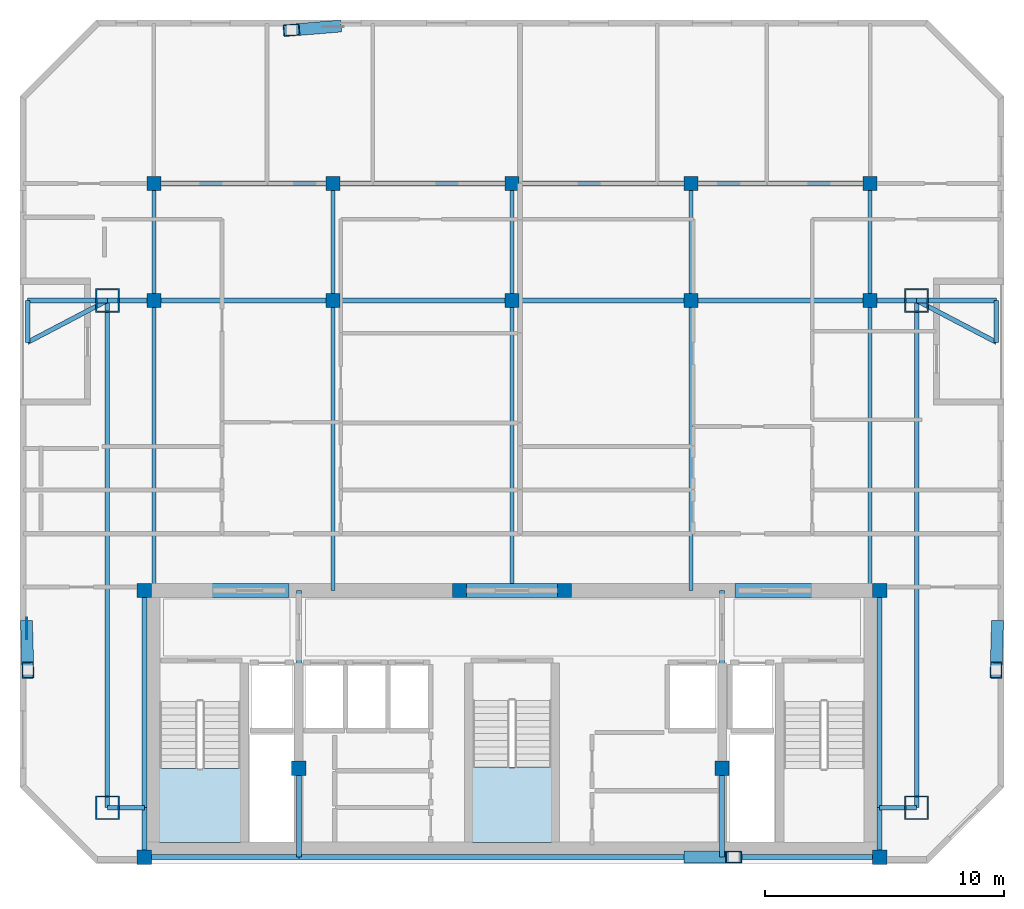
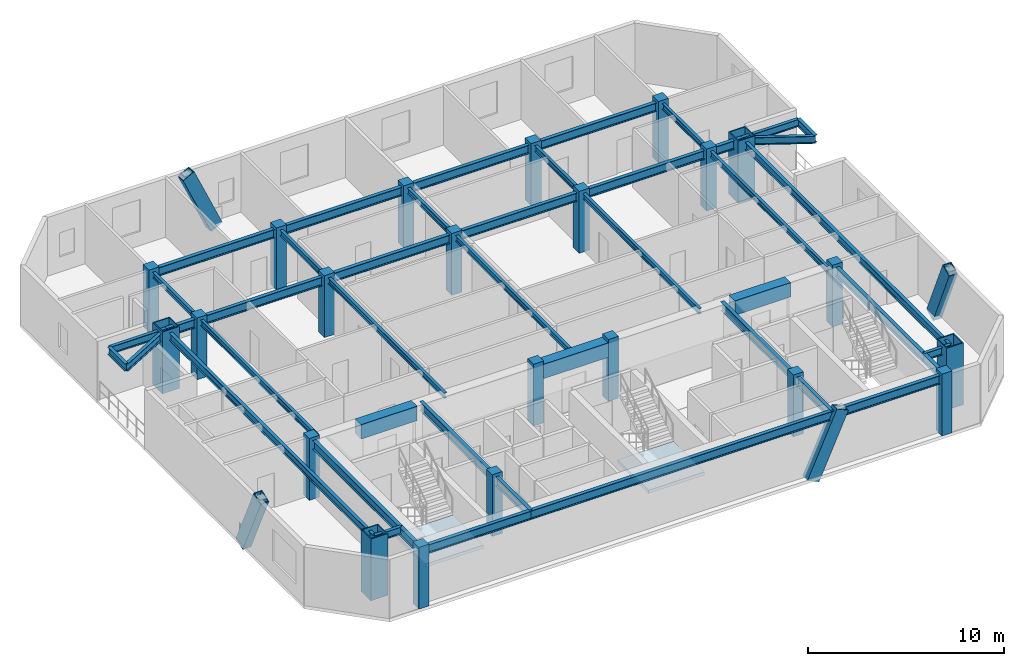
# One storey, part 1 of 7: 44 beams, 22 columns, 4 members, 2 slabs, 1 plate, 2 elements without a shape of their own.
"""IFC4 building model written with IfcOpenShell, lengths in metres."""

from ifc_helpers import new_model, si_unit, direction, frame, origin, origin_2d, place, context, subcontext, project, spatial, polyline, rectangle, hollow_rectangle, i_section, outline, extrude, material, layer, layer_set, material_profile, profile_set, type_object, element, aggregate, save


model = new_model("IFC4")

# Units and contexts
model_context = context("Model", 3, precision=1e-05, world=origin(), true_north=direction((0.0, 1.0)))
body_context = subcontext(model_context, "Body", "Model", "MODEL_VIEW")
ifc_project = project(units=[si_unit("LENGTHUNIT", "METRE"), si_unit("AREAUNIT", "SQUARE_METRE"), si_unit("VOLUMEUNIT", "CUBIC_METRE"), si_unit("PLANEANGLEUNIT", "RADIAN"), si_unit("MASSUNIT", "GRAM", prefix="KILO")], contexts=[model_context])

# Site, building, storey
site_placement = place(None, origin())
site = spatial("IfcSite", under=ifc_project, at=site_placement, CompositionType="ELEMENT")
building_placement = place(site_placement, origin())
building = spatial("IfcBuilding", under=site, at=building_placement, Name="Ventersveld Concourse Tower", CompositionType="ELEMENT")
storey_placement = place(building_placement, frame((0.0, 0.0, 268.300048828125)))
storey = spatial("IfcBuildingStorey", under=building, at=storey_placement, Name="L66", CompositionType="ELEMENT", Elevation=268.300048828125)

# Columns
ifc_material_1 = material(Name="Concrete C50/60", Category="concrete")
ifc_material_profile_1 = material_profile(ifc_material_1, rectangle(XDim=0.60009765625, YDim=0.60009765625, at=origin_2d()), Name="RC 600x600")
ifc_profile_set_1 = profile_set([ifc_material_profile_1], Name="Concrete C50/60")
column_type_1 = type_object("IfcColumnType", Name="COL-RC600", PredefinedType="COLUMN", material=ifc_profile_set_1)
for number, where, z_axis, x_axis, name in (
    (1, (13.35009765625, 0.280029296875, 0.0), (0.0, 0.0, 1.0), (1.0, 0.0, 0.0), "L66 Core Spine Column CC-SW"),
    (2, (44.14990234375, 0.280029296875, 0.0), (0.0, 0.0, 1.0), (1.0, 0.0, 0.0), "L66 Core Spine Column CC-SE"),
    (3, (13.35009765625, 11.449951171875, 0.0), (0.0, 0.0, 1.0), (1.0, 0.0, 0.0), "L66 Core Spine Column CC-NW"),
    (4, (44.14990234375, 11.449951171875, 0.0), (0.0, 0.0, 1.0), (1.0, 0.0, 0.0), "L66 Core Spine Column CC-NE"),
    (5, (19.820068359375, 4.0, 0.0), (0.0, 0.0, 1.0), (1.0, 0.0, 0.0), "L66 Core Spine Column CM-1"),
    (6, (37.550048828125, 4.0, 0.0), (0.0, 0.0, 1.0), (1.0, 0.0, 0.0), "L66 Core Spine Column CM-2"),
    (7, (26.550048828125, 11.449951171875, 0.0), (0.0, 0.0, 1.0), (1.0, 0.0, 0.0), "L66 Core Spine Column CM-3"),
    (8, (30.949951171875, 11.449951171875, 0.0), (0.0, 0.0, 1.0), (1.0, 0.0, 0.0), "L66 Core Spine Column CM-4"),
    (9, (13.75, 23.60009765625, 0.0), (0.0, 0.0, 1.0), (1.0, 0.0, 0.0), "L66 Interior Gravity Column X=13.75 Y=23.60"),
    (10, (21.25, 23.60009765625, 0.0), (0.0, 0.0, 1.0), (1.0, 0.0, 0.0), "L66 Interior Gravity Column X=21.25 Y=23.60"),
    (11, (28.75, 23.60009765625, 0.0), (0.0, 0.0, 1.0), (1.0, 0.0, 0.0), "L66 Interior Gravity Column X=28.75 Y=23.60"),
    (12, (36.25, 23.60009765625, 0.0), (0.0, 0.0, 1.0), (1.0, 0.0, 0.0), "L66 Interior Gravity Column X=36.25 Y=23.60"),
    (13, (43.75, 23.60009765625, 0.0), (0.0, 0.0, 1.0), (1.0, 0.0, 0.0), "L66 Interior Gravity Column X=43.75 Y=23.60"),
    (14, (13.75, 28.5, 0.0), (0.0, 0.0, 1.0), (1.0, 0.0, 0.0), "L66 Upper-North Gravity Column X=13.75 Y=28.50"),
    (15, (21.25, 28.5, 0.0), (0.0, 0.0, 1.0), (1.0, 0.0, 0.0), "L66 Upper-North Gravity Column X=21.25 Y=28.50"),
    (16, (28.75, 28.5, 0.0), (0.0, 0.0, 1.0), (1.0, 0.0, 0.0), "L66 Upper-North Gravity Column X=28.75 Y=28.50"),
    (17, (36.25, 28.5, 0.0), (0.0, 0.0, 1.0), (1.0, 0.0, 0.0), "L66 Upper-North Gravity Column X=36.25 Y=28.50"),
    (18, (43.75, 28.5, 0.0), (0.0, 0.0, 1.0), (1.0, 0.0, 0.0), "L66 Upper-North Gravity Column X=43.75 Y=28.50"),
):
    element("IfcColumn", number, at=place(storey_placement, frame(where, z_axis=z_axis, x_axis=x_axis)), inside=storey, type_object=column_type_1, Name=name, PredefinedType="COLUMN", context=body_context, shape_type="SweptSolid", body=[
        extrude(rectangle(XDim=0.60009765625, YDim=0.60009765625, at=origin_2d()), origin(), (0.0, 0.0, 1.0), 3.849853515625),
    ])
ifc_material_2 = material(Name="Structural steel S460ML", Category="steel")
ifc_material_profile_2 = material_profile(ifc_material_2, hollow_rectangle(XDim=1.0, YDim=1.0, WallThickness=0.06005859375, at=origin_2d()), Name="BOX 1000x1000x60")
ifc_profile_set_2 = profile_set([ifc_material_profile_2], Name="Structural steel S460ML")
column_type_2 = type_object("IfcColumnType", Name="MC-1000", PredefinedType="USERDEFINED", material=ifc_profile_set_2)
for number, where, z_axis, x_axis, name in (
    (19, (11.800048828125, 2.35009765625, 0.0), (0.0, 0.0, 1.0), (1.0, 0.0, 0.0), "L66 Corner Mega-Column MC-SW"),
    (20, (45.699951171875, 2.35009765625, 0.0), (0.0, 0.0, 1.0), (1.0, 0.0, 0.0), "L66 Corner Mega-Column MC-SE"),
    (21, (45.699951171875, 23.60009765625, 0.0), (0.0, 0.0, 1.0), (1.0, 0.0, 0.0), "L66 Corner Mega-Column MC-NE"),
    (22, (11.800048828125, 23.60009765625, 0.0), (0.0, 0.0, 1.0), (1.0, 0.0, 0.0), "L66 Corner Mega-Column MC-NW"),
):
    element("IfcColumn", number, at=place(storey_placement, frame(where, z_axis=z_axis, x_axis=x_axis)), inside=storey, type_object=column_type_2, Name=name, ObjectType="MEGA_COLUMN", PredefinedType="USERDEFINED", context=body_context, shape_type="SweptSolid", body=[
        extrude(hollow_rectangle(XDim=1.0, YDim=1.0, WallThickness=0.06005859375, at=origin_2d()), origin(), (0.0, 0.0, 1.0), 3.849853515625),
    ])

# Beams
ifc_material_3 = material(Name="Structural steel S355J2", Category="steel")
ifc_material_profile_3 = material_profile(ifc_material_3, i_section(OverallWidth=0.17138671875, OverallDepth=0.35498046875, WebThickness=0.00732421875, FlangeThickness=0.011474609375, FilletRadius=0.01025390625, at=origin_2d()), Name="UB 356x171x51")
ifc_profile_set_3 = profile_set([ifc_material_profile_3], Name="Structural steel S355J2")
beam_type_1 = type_object("IfcBeamType", Name="BM-UB356", PredefinedType="BEAM", material=ifc_profile_set_3)
beam_1_placement = place(storey_placement, frame((13.75, 11.449951171875, 3.472412109375), z_axis=(0.0, 1.0, 0.0), x_axis=(-1.0, 0.0, 0.0)))
element("IfcBeam", 23, at=beam_1_placement, inside=storey, type_object=beam_type_1, Name="L66 N-S Composite Floor Beam South X=13.75", PredefinedType="BEAM", context=body_context, shape_type="SweptSolid", body=[
    extrude(i_section(OverallWidth=0.17138671875, OverallDepth=0.35498046875, WebThickness=0.00732421875, FlangeThickness=0.011474609375, FilletRadius=0.01025390625, at=origin_2d()), origin(), (0.0, 0.0, 1.0), 12.150146484375),
])
beam_2_placement = place(storey_placement, frame((13.75, 23.60009765625, 3.472412109375), z_axis=(0.0, 1.0, 0.0), x_axis=(-1.0, 0.0, 0.0)))
element("IfcBeam", 24, at=beam_2_placement, inside=storey, type_object=beam_type_1, Name="L66 N-S Upper-Zone Floor Beam X=13.75", PredefinedType="BEAM", context=body_context, shape_type="SweptSolid", body=[
    extrude(i_section(OverallWidth=0.17138671875, OverallDepth=0.35498046875, WebThickness=0.00732421875, FlangeThickness=0.011474609375, FilletRadius=0.01025390625, at=origin_2d()), origin(), (0.0, 0.0, 1.0), 4.89990234375),
])
beam_3_placement = place(storey_placement, frame((21.25, 11.449951171875, 3.472412109375), z_axis=(0.0, 1.0, 0.0), x_axis=(-1.0, 0.0, 0.0)))
element("IfcBeam", 25, at=beam_3_placement, inside=storey, type_object=beam_type_1, Name="L66 N-S Composite Floor Beam South X=21.25", PredefinedType="BEAM", context=body_context, shape_type="SweptSolid", body=[
    extrude(i_section(OverallWidth=0.17138671875, OverallDepth=0.35498046875, WebThickness=0.00732421875, FlangeThickness=0.011474609375, FilletRadius=0.01025390625, at=origin_2d()), origin(), (0.0, 0.0, 1.0), 12.150146484375),
])
beam_4_placement = place(storey_placement, frame((21.25, 23.60009765625, 3.472412109375), z_axis=(0.0, 1.0, 0.0), x_axis=(-1.0, 0.0, 0.0)))
element("IfcBeam", 26, at=beam_4_placement, inside=storey, type_object=beam_type_1, Name="L66 N-S Upper-Zone Floor Beam X=21.25", PredefinedType="BEAM", context=body_context, shape_type="SweptSolid", body=[
    extrude(i_section(OverallWidth=0.17138671875, OverallDepth=0.35498046875, WebThickness=0.00732421875, FlangeThickness=0.011474609375, FilletRadius=0.01025390625, at=origin_2d()), origin(), (0.0, 0.0, 1.0), 4.89990234375),
])
beam_5_placement = place(storey_placement, frame((28.75, 11.449951171875, 3.472412109375), z_axis=(0.0, 1.0, 0.0), x_axis=(-1.0, 0.0, 0.0)))
element("IfcBeam", 27, at=beam_5_placement, inside=storey, type_object=beam_type_1, Name="L66 N-S Composite Floor Beam South X=28.75", PredefinedType="BEAM", context=body_context, shape_type="SweptSolid", body=[
    extrude(i_section(OverallWidth=0.17138671875, OverallDepth=0.35498046875, WebThickness=0.00732421875, FlangeThickness=0.011474609375, FilletRadius=0.01025390625, at=origin_2d()), origin(), (0.0, 0.0, 1.0), 12.150146484375),
])
beam_6_placement = place(storey_placement, frame((28.75, 23.60009765625, 3.472412109375), z_axis=(0.0, 1.0, 0.0), x_axis=(-1.0, 0.0, 0.0)))
element("IfcBeam", 28, at=beam_6_placement, inside=storey, type_object=beam_type_1, Name="L66 N-S Upper-Zone Floor Beam X=28.75", PredefinedType="BEAM", context=body_context, shape_type="SweptSolid", body=[
    extrude(i_section(OverallWidth=0.17138671875, OverallDepth=0.35498046875, WebThickness=0.00732421875, FlangeThickness=0.011474609375, FilletRadius=0.01025390625, at=origin_2d()), origin(), (0.0, 0.0, 1.0), 4.89990234375),
])
beam_7_placement = place(storey_placement, frame((36.25, 11.449951171875, 3.472412109375), z_axis=(0.0, 1.0, 0.0), x_axis=(-1.0, 0.0, 0.0)))
element("IfcBeam", 29, at=beam_7_placement, inside=storey, type_object=beam_type_1, Name="L66 N-S Composite Floor Beam South X=36.25", PredefinedType="BEAM", context=body_context, shape_type="SweptSolid", body=[
    extrude(i_section(OverallWidth=0.17138671875, OverallDepth=0.35498046875, WebThickness=0.00732421875, FlangeThickness=0.011474609375, FilletRadius=0.01025390625, at=origin_2d()), origin(), (0.0, 0.0, 1.0), 12.150146484375),
])
beam_8_placement = place(storey_placement, frame((36.25, 23.60009765625, 3.472412109375), z_axis=(0.0, 1.0, 0.0), x_axis=(-1.0, 0.0, 0.0)))
element("IfcBeam", 30, at=beam_8_placement, inside=storey, type_object=beam_type_1, Name="L66 N-S Upper-Zone Floor Beam X=36.25", PredefinedType="BEAM", context=body_context, shape_type="SweptSolid", body=[
    extrude(i_section(OverallWidth=0.17138671875, OverallDepth=0.35498046875, WebThickness=0.00732421875, FlangeThickness=0.011474609375, FilletRadius=0.01025390625, at=origin_2d()), origin(), (0.0, 0.0, 1.0), 4.89990234375),
])
beam_9_placement = place(storey_placement, frame((43.75, 11.449951171875, 3.472412109375), z_axis=(0.0, 1.0, 0.0), x_axis=(-1.0, 0.0, 0.0)))
element("IfcBeam", 31, at=beam_9_placement, inside=storey, type_object=beam_type_1, Name="L66 N-S Composite Floor Beam South X=43.75", PredefinedType="BEAM", context=body_context, shape_type="SweptSolid", body=[
    extrude(i_section(OverallWidth=0.17138671875, OverallDepth=0.35498046875, WebThickness=0.00732421875, FlangeThickness=0.011474609375, FilletRadius=0.01025390625, at=origin_2d()), origin(), (0.0, 0.0, 1.0), 12.150146484375),
])
beam_10_placement = place(storey_placement, frame((43.75, 23.60009765625, 3.472412109375), z_axis=(0.0, 1.0, 0.0), x_axis=(-1.0, 0.0, 0.0)))
element("IfcBeam", 32, at=beam_10_placement, inside=storey, type_object=beam_type_1, Name="L66 N-S Upper-Zone Floor Beam X=43.75", PredefinedType="BEAM", context=body_context, shape_type="SweptSolid", body=[
    extrude(i_section(OverallWidth=0.17138671875, OverallDepth=0.35498046875, WebThickness=0.00732421875, FlangeThickness=0.011474609375, FilletRadius=0.01025390625, at=origin_2d()), origin(), (0.0, 0.0, 1.0), 4.89990234375),
])
ifc_material_profile_4 = material_profile(ifc_material_1, rectangle(XDim=0.60009765625, YDim=0.89990234375, at=origin_2d()), Name="RC 600x900")
ifc_profile_set_4 = profile_set([ifc_material_profile_4], Name="Concrete C50/60")
beam_type_2 = type_object("IfcBeamType", Name="CB-RC600x900U", PredefinedType="LINTEL", material=ifc_profile_set_4)
beam_11_placement = place(storey_placement, frame((16.10009765625, 11.449951171875, 3.199951171875), z_axis=(1.0, 0.0, 0.0), x_axis=(0.0, 1.0, 0.0)))
element("IfcBeam", 33, at=beam_11_placement, inside=storey, type_object=beam_type_2, Name="L66 Core Coupling Lintel Beam 1", PredefinedType="LINTEL", context=body_context, shape_type="SweptSolid", body=[
    extrude(rectangle(XDim=0.60009765625, YDim=0.89990234375, at=origin_2d()), origin(), (0.0, 0.0, 1.0), 3.2998046875),
])
beam_12_placement = place(storey_placement, frame((26.5, 11.449951171875, 3.199951171875), z_axis=(1.0, 0.0, 0.0), x_axis=(0.0, 1.0, 0.0)))
element("IfcBeam", 34, at=beam_12_placement, inside=storey, type_object=beam_type_2, Name="L66 Core Coupling Lintel Beam 2", PredefinedType="LINTEL", context=body_context, shape_type="SweptSolid", body=[
    extrude(rectangle(XDim=0.60009765625, YDim=0.89990234375, at=origin_2d()), origin(), (0.0, 0.0, 1.0), 4.5),
])
beam_13_placement = place(storey_placement, frame((38.10009765625, 11.449951171875, 3.199951171875), z_axis=(1.0, 0.0, 0.0), x_axis=(0.0, 1.0, 0.0)))
element("IfcBeam", 35, at=beam_13_placement, inside=storey, type_object=beam_type_2, Name="L66 Core Coupling Lintel Beam 3", PredefinedType="LINTEL", context=body_context, shape_type="SweptSolid", body=[
    extrude(rectangle(XDim=0.60009765625, YDim=0.89990234375, at=origin_2d()), origin(), (0.0, 0.0, 1.0), 3.2998046875),
])
ifc_material_profile_5 = material_profile(ifc_material_3, i_section(OverallWidth=0.2119140625, OverallDepth=0.54443359375, WebThickness=0.0126953125, FlangeThickness=0.021240234375, FilletRadius=0.0126953125, at=origin_2d()), Name="UB 533x210x122")
ifc_profile_set_5 = profile_set([ifc_material_profile_5], Name="Structural steel S355J2")
beam_type_3 = type_object("IfcBeamType", Name="GRD-UB533H", PredefinedType="T_BEAM", material=ifc_profile_set_5)
beam_14_placement = place(storey_placement, frame((13.35009765625, 0.280029296875, 3.377685546875), z_axis=(0.0, 1.0, 0.0), x_axis=(-1.0, 0.0, 0.0)))
element("IfcBeam", 36, at=beam_14_placement, inside=storey, type_object=beam_type_3, Name="L66 Core West Tie Beam S", PredefinedType="T_BEAM", context=body_context, shape_type="SweptSolid", body=[
    extrude(i_section(OverallWidth=0.2119140625, OverallDepth=0.54443359375, WebThickness=0.0126953125, FlangeThickness=0.021240234375, FilletRadius=0.0126953125, at=origin_2d()), origin(), (0.0, 0.0, 1.0), 2.070068359375),
])
beam_15_placement = place(storey_placement, frame((13.35009765625, 2.35009765625, 3.377685546875), z_axis=(0.0, 1.0, 0.0), x_axis=(-1.0, 0.0, 0.0)))
element("IfcBeam", 37, at=beam_15_placement, inside=storey, type_object=beam_type_3, Name="L66 Core West Tie Beam N", PredefinedType="T_BEAM", context=body_context, shape_type="SweptSolid", body=[
    extrude(i_section(OverallWidth=0.2119140625, OverallDepth=0.54443359375, WebThickness=0.0126953125, FlangeThickness=0.021240234375, FilletRadius=0.0126953125, at=origin_2d()), origin(), (0.0, 0.0, 1.0), 9.099853515625),
])
beam_16_placement = place(storey_placement, frame((44.14990234375, 0.280029296875, 3.377685546875), z_axis=(0.0, 1.0, 0.0), x_axis=(-1.0, 0.0, 0.0)))
element("IfcBeam", 38, at=beam_16_placement, inside=storey, type_object=beam_type_3, Name="L66 Core East Tie Beam S", PredefinedType="T_BEAM", context=body_context, shape_type="SweptSolid", body=[
    extrude(i_section(OverallWidth=0.2119140625, OverallDepth=0.54443359375, WebThickness=0.0126953125, FlangeThickness=0.021240234375, FilletRadius=0.0126953125, at=origin_2d()), origin(), (0.0, 0.0, 1.0), 2.070068359375),
])
beam_17_placement = place(storey_placement, frame((44.14990234375, 2.35009765625, 3.377685546875), z_axis=(0.0, 1.0, 0.0), x_axis=(-1.0, 0.0, 0.0)))
element("IfcBeam", 39, at=beam_17_placement, inside=storey, type_object=beam_type_3, Name="L66 Core East Tie Beam N", PredefinedType="T_BEAM", context=body_context, shape_type="SweptSolid", body=[
    extrude(i_section(OverallWidth=0.2119140625, OverallDepth=0.54443359375, WebThickness=0.0126953125, FlangeThickness=0.021240234375, FilletRadius=0.0126953125, at=origin_2d()), origin(), (0.0, 0.0, 1.0), 9.099853515625),
])
beam_18_placement = place(storey_placement, frame((13.35009765625, 0.280029296875, 3.377685546875), z_axis=(1.0, 0.0, 0.0), x_axis=(0.0, 1.0, 0.0)))
element("IfcBeam", 40, at=beam_18_placement, inside=storey, type_object=beam_type_3, Name="L66 Core South Tie Beam W", PredefinedType="T_BEAM", context=body_context, shape_type="SweptSolid", body=[
    extrude(i_section(OverallWidth=0.2119140625, OverallDepth=0.54443359375, WebThickness=0.0126953125, FlangeThickness=0.021240234375, FilletRadius=0.0126953125, at=origin_2d()), origin(), (0.0, 0.0, 1.0), 6.469970703125),
])
beam_19_placement = place(storey_placement, frame((19.820068359375, 0.280029296875, 3.377685546875), z_axis=(1.0, 0.0, 0.0), x_axis=(0.0, 1.0, 0.0)))
element("IfcBeam", 41, at=beam_19_placement, inside=storey, type_object=beam_type_3, Name="L66 Core South Tie Beam C", PredefinedType="T_BEAM", context=body_context, shape_type="SweptSolid", body=[
    extrude(i_section(OverallWidth=0.2119140625, OverallDepth=0.54443359375, WebThickness=0.0126953125, FlangeThickness=0.021240234375, FilletRadius=0.0126953125, at=origin_2d()), origin(), (0.0, 0.0, 1.0), 17.72998046875),
])
beam_20_placement = place(storey_placement, frame((37.550048828125, 0.280029296875, 3.377685546875), z_axis=(1.0, 0.0, 0.0), x_axis=(0.0, 1.0, 0.0)))
element("IfcBeam", 42, at=beam_20_placement, inside=storey, type_object=beam_type_3, Name="L66 Core South Tie Beam E", PredefinedType="T_BEAM", context=body_context, shape_type="SweptSolid", body=[
    extrude(i_section(OverallWidth=0.2119140625, OverallDepth=0.54443359375, WebThickness=0.0126953125, FlangeThickness=0.021240234375, FilletRadius=0.0126953125, at=origin_2d()), origin(), (0.0, 0.0, 1.0), 6.599853515625),
])
beam_21_placement = place(storey_placement, frame((19.820068359375, 0.280029296875, 3.377685546875), z_axis=(0.0, 1.0, 0.0), x_axis=(-1.0, 0.0, 0.0)))
element("IfcBeam", 43, at=beam_21_placement, inside=storey, type_object=beam_type_3, Name="L66 Core Spine N-S Tie Beam W1", PredefinedType="T_BEAM", context=body_context, shape_type="SweptSolid", body=[
    extrude(i_section(OverallWidth=0.2119140625, OverallDepth=0.54443359375, WebThickness=0.0126953125, FlangeThickness=0.021240234375, FilletRadius=0.0126953125, at=origin_2d()), origin(), (0.0, 0.0, 1.0), 3.719970703125),
])
beam_22_placement = place(storey_placement, frame((19.820068359375, 4.0, 3.377685546875), z_axis=(0.0, 1.0, 0.0), x_axis=(-1.0, 0.0, 0.0)))
element("IfcBeam", 44, at=beam_22_placement, inside=storey, type_object=beam_type_3, Name="L66 Core Spine N-S Tie Beam W2", PredefinedType="T_BEAM", context=body_context, shape_type="SweptSolid", body=[
    extrude(i_section(OverallWidth=0.2119140625, OverallDepth=0.54443359375, WebThickness=0.0126953125, FlangeThickness=0.021240234375, FilletRadius=0.0126953125, at=origin_2d()), origin(), (0.0, 0.0, 1.0), 7.449951171875),
])
beam_23_placement = place(storey_placement, frame((37.550048828125, 0.280029296875, 3.377685546875), z_axis=(0.0, 1.0, 0.0), x_axis=(-1.0, 0.0, 0.0)))
element("IfcBeam", 45, at=beam_23_placement, inside=storey, type_object=beam_type_3, Name="L66 Core Spine N-S Tie Beam E1", PredefinedType="T_BEAM", context=body_context, shape_type="SweptSolid", body=[
    extrude(i_section(OverallWidth=0.2119140625, OverallDepth=0.54443359375, WebThickness=0.0126953125, FlangeThickness=0.021240234375, FilletRadius=0.0126953125, at=origin_2d()), origin(), (0.0, 0.0, 1.0), 3.719970703125),
])
beam_24_placement = place(storey_placement, frame((37.550048828125, 4.0, 3.377685546875), z_axis=(0.0, 1.0, 0.0), x_axis=(-1.0, 0.0, 0.0)))
element("IfcBeam", 46, at=beam_24_placement, inside=storey, type_object=beam_type_3, Name="L66 Core Spine N-S Tie Beam E2", PredefinedType="T_BEAM", context=body_context, shape_type="SweptSolid", body=[
    extrude(i_section(OverallWidth=0.2119140625, OverallDepth=0.54443359375, WebThickness=0.0126953125, FlangeThickness=0.021240234375, FilletRadius=0.0126953125, at=origin_2d()), origin(), (0.0, 0.0, 1.0), 7.449951171875),
])
beam_25_placement = place(storey_placement, frame((11.800048828125, 23.60009765625, 3.377685546875), z_axis=(1.0, 0.0, 0.0), x_axis=(0.0, 1.0, 0.0)))
element("IfcBeam", 47, at=beam_25_placement, inside=storey, type_object=beam_type_3, Name="L66 Primary E-W Grid Girder Y=23.60 #1", PredefinedType="T_BEAM", context=body_context, shape_type="SweptSolid", body=[
    extrude(i_section(OverallWidth=0.2119140625, OverallDepth=0.54443359375, WebThickness=0.0126953125, FlangeThickness=0.021240234375, FilletRadius=0.0126953125, at=origin_2d()), origin(), (0.0, 0.0, 1.0), 1.949951171875),
])
for number, where, z_axis, x_axis, name in (
    (48, (13.75, 23.60009765625, 3.377685546875), (1.0, 0.0, 0.0), (0.0, 1.0, 0.0), "L66 Primary E-W Grid Girder Y=23.60 #2"),
    (49, (21.25, 23.60009765625, 3.377685546875), (1.0, 0.0, 0.0), (0.0, 1.0, 0.0), "L66 Primary E-W Grid Girder Y=23.60 #3"),
    (50, (28.75, 23.60009765625, 3.377685546875), (1.0, 0.0, 0.0), (0.0, 1.0, 0.0), "L66 Primary E-W Grid Girder Y=23.60 #4"),
    (51, (36.25, 23.60009765625, 3.377685546875), (1.0, 0.0, 0.0), (0.0, 1.0, 0.0), "L66 Primary E-W Grid Girder Y=23.60 #5"),
):
    element("IfcBeam", number, at=place(storey_placement, frame(where, z_axis=z_axis, x_axis=x_axis)), inside=storey, type_object=beam_type_3, Name=name, PredefinedType="T_BEAM", context=body_context, shape_type="SweptSolid", body=[
        extrude(i_section(OverallWidth=0.2119140625, OverallDepth=0.54443359375, WebThickness=0.0126953125, FlangeThickness=0.021240234375, FilletRadius=0.0126953125, at=origin_2d()), origin(), (0.0, 0.0, 1.0), 7.5),
    ])
beam_26_placement = place(storey_placement, frame((43.75, 23.60009765625, 3.377685546875), z_axis=(1.0, 0.0, 0.0), x_axis=(0.0, 1.0, 0.0)))
element("IfcBeam", 52, at=beam_26_placement, inside=storey, type_object=beam_type_3, Name="L66 Primary E-W Grid Girder Y=23.60 #6", PredefinedType="T_BEAM", context=body_context, shape_type="SweptSolid", body=[
    extrude(i_section(OverallWidth=0.2119140625, OverallDepth=0.54443359375, WebThickness=0.0126953125, FlangeThickness=0.021240234375, FilletRadius=0.0126953125, at=origin_2d()), origin(), (0.0, 0.0, 1.0), 1.949951171875),
])
for number, where, z_axis, x_axis, name in (
    (53, (13.75, 28.5, 3.377685546875), (1.0, 0.0, 0.0), (0.0, 1.0, 0.0), "L66 Upper-North E-W Girder Y=28.50 #1"),
    (54, (21.25, 28.5, 3.377685546875), (1.0, 0.0, 0.0), (0.0, 1.0, 0.0), "L66 Upper-North E-W Girder Y=28.50 #2"),
    (55, (28.75, 28.5, 3.377685546875), (1.0, 0.0, 0.0), (0.0, 1.0, 0.0), "L66 Upper-North E-W Girder Y=28.50 #3"),
    (56, (36.25, 28.5, 3.377685546875), (1.0, 0.0, 0.0), (0.0, 1.0, 0.0), "L66 Upper-North E-W Girder Y=28.50 #4"),
):
    element("IfcBeam", number, at=place(storey_placement, frame(where, z_axis=z_axis, x_axis=x_axis)), inside=storey, type_object=beam_type_3, Name=name, PredefinedType="T_BEAM", context=body_context, shape_type="SweptSolid", body=[
        extrude(i_section(OverallWidth=0.2119140625, OverallDepth=0.54443359375, WebThickness=0.0126953125, FlangeThickness=0.021240234375, FilletRadius=0.0126953125, at=origin_2d()), origin(), (0.0, 0.0, 1.0), 7.5),
    ])

# Members
ifc_material_4 = material(Name="Structural steel S355ML", Category="steel")
ifc_material_profile_6 = material_profile(ifc_material_4, hollow_rectangle(XDim=0.5, YDim=0.75, WallThickness=0.034912109375, at=origin_2d()), Name="BOX 750x500x35")
ifc_profile_set_6 = profile_set([ifc_material_profile_6], Name="Structural steel S355ML")
member_type = type_object("IfcMemberType", Name="MB-750x500", PredefinedType="BRACE", material=ifc_profile_set_6)
member_1_placement = place(storey_placement, frame((21.25, 35.0693359375, -0.199951171875), z_axis=(-0.411519584117, -0.033845680883, 0.910772255711), x_axis=(0.081968848657, -0.996634891949, 0.0)))
element("IfcMember", 57, at=member_1_placement, inside=storey, type_object=member_type, Name="L66 Exterior Mega-Brace N (Module M16)", PredefinedType="BRACE", context=body_context, shape_type="SweptSolid", body=[
    extrude(hollow_rectangle(XDim=0.5, YDim=0.75, WallThickness=0.034912109375, at=origin_2d()), origin(), (0.0, 0.0, 1.0), 4.22705078125),
])
member_2_placement = place(storey_placement, frame((36.300048828125, 0.280029296875, -0.199951171875), z_axis=(0.411755490853, 0.0, 0.911294362844), x_axis=(0.0, 1.0, 0.0)))
element("IfcMember", 58, at=member_2_placement, inside=storey, type_object=member_type, Name="L66 Exterior Mega-Brace S (Module M16)", PredefinedType="BRACE", context=body_context, shape_type="SweptSolid", body=[
    extrude(hollow_rectangle(XDim=0.5, YDim=0.75, WallThickness=0.034912109375, at=origin_2d()), origin(), (0.0, 0.0, 1.0), 4.224609375),
])
for number, where, z_axis, x_axis, name in (
    (59, (8.419921875, 9.85009765625, -0.199951171875), (0.011672834032, -0.411727438014, 0.911232276498), (0.999598355988, 0.028339490233, 0.0), "L66 Exterior Mega-Brace W (Module M16)"),
    (60, (49.080078125, 9.85009765625, -0.199951171875), (-0.011672834032, -0.411727438014, 0.911232276498), (0.999598355988, -0.028339490233, 0.0), "L66 Exterior Mega-Brace E (Module M16)"),
):
    element("IfcMember", number, at=place(storey_placement, frame(where, z_axis=z_axis, x_axis=x_axis)), inside=storey, type_object=member_type, Name=name, PredefinedType="BRACE", context=body_context, shape_type="SweptSolid", body=[
        extrude(hollow_rectangle(XDim=0.5, YDim=0.75, WallThickness=0.034912109375, at=origin_2d()), origin(), (0.0, 0.0, 1.0), 4.224853515625),
    ])

# Beams
ifc_material_profile_7 = material_profile(ifc_material_3, i_section(OverallWidth=0.19140625, OverallDepth=0.4599609375, WebThickness=0.010009765625, FlangeThickness=0.01611328125, FilletRadius=0.01025390625, at=origin_2d()), Name="UB 457x191x82")
ifc_profile_set_7 = profile_set([ifc_material_profile_7], Name="Structural steel S355J2")
beam_type_4 = type_object("IfcBeamType", Name="SPD-UB457", PredefinedType="SPANDREL", material=ifc_profile_set_7)
for number, where, z_axis, x_axis, name in (
    (61, (11.800048828125, 2.35009765625, 3.419921875), (1.0, 0.0, 0.0), (0.0, 1.0, 0.0), "L66 SW Spandrel Beam"),
    (62, (44.14990234375, 2.35009765625, 3.419921875), (1.0, 0.0, 0.0), (0.0, 1.0, 0.0), "L66 SE Spandrel Beam"),
):
    element("IfcBeam", number, at=place(storey_placement, frame(where, z_axis=z_axis, x_axis=x_axis)), inside=storey, type_object=beam_type_4, Name=name, PredefinedType="SPANDREL", context=body_context, shape_type="SweptSolid", body=[
        extrude(i_section(OverallWidth=0.19140625, OverallDepth=0.4599609375, WebThickness=0.010009765625, FlangeThickness=0.01611328125, FilletRadius=0.01025390625, at=origin_2d()), origin(), (0.0, 0.0, 1.0), 1.550048828125),
    ])
for number, where, z_axis, x_axis, name in (
    (63, (11.800048828125, 2.35009765625, 3.419921875), (0.0, 1.0, 0.0), (-1.0, 0.0, 0.0), "L66 West Spandrel Beam"),
    (64, (45.699951171875, 2.35009765625, 3.419921875), (0.0, 1.0, 0.0), (-1.0, 0.0, 0.0), "L66 East Spandrel Beam"),
):
    element("IfcBeam", number, at=place(storey_placement, frame(where, z_axis=z_axis, x_axis=x_axis)), inside=storey, type_object=beam_type_4, Name=name, PredefinedType="SPANDREL", context=body_context, shape_type="SweptSolid", body=[
        extrude(i_section(OverallWidth=0.19140625, OverallDepth=0.4599609375, WebThickness=0.010009765625, FlangeThickness=0.01611328125, FilletRadius=0.01025390625, at=origin_2d()), origin(), (0.0, 0.0, 1.0), 21.25),
    ])
beam_27_placement = place(storey_placement, frame((8.4609375, 23.60009765625, 3.419921875), z_axis=(1.0, 0.0, 0.0), x_axis=(0.0, 1.0, 0.0)))
element("IfcBeam", 65, at=beam_27_placement, inside=storey, type_object=beam_type_4, Name="L66 West Valley Bracket S", PredefinedType="SPANDREL", context=body_context, shape_type="SweptSolid", body=[
    extrude(i_section(OverallWidth=0.19140625, OverallDepth=0.4599609375, WebThickness=0.010009765625, FlangeThickness=0.01611328125, FilletRadius=0.01025390625, at=origin_2d()), origin(), (0.0, 0.0, 1.0), 3.339111328125),
])
beam_28_placement = place(storey_placement, frame((8.4609375, 21.85009765625, 3.419921875), z_axis=(0.885728841758, 0.46420299318, 0.0), x_axis=(-0.46420299318, 0.885728841758, 0.0)))
element("IfcBeam", 66, at=beam_28_placement, inside=storey, type_object=beam_type_4, Name="L66 West Valley Diagonal Bracket", PredefinedType="SPANDREL", context=body_context, shape_type="SweptSolid", body=[
    extrude(i_section(OverallWidth=0.19140625, OverallDepth=0.4599609375, WebThickness=0.010009765625, FlangeThickness=0.01611328125, FilletRadius=0.01025390625, at=origin_2d()), origin(), (0.0, 0.0, 1.0), 3.77001953125),
])
beam_29_placement = place(storey_placement, frame((8.4609375, 21.85009765625, 3.419921875), z_axis=(0.0, 1.0, 0.0), x_axis=(-1.0, 0.0, 0.0)))
element("IfcBeam", 67, at=beam_29_placement, inside=storey, type_object=beam_type_4, Name="L66 West Valley Edge Beam", PredefinedType="SPANDREL", context=body_context, shape_type="SweptSolid", body=[
    extrude(i_section(OverallWidth=0.19140625, OverallDepth=0.4599609375, WebThickness=0.010009765625, FlangeThickness=0.01611328125, FilletRadius=0.01025390625, at=origin_2d()), origin(), (0.0, 0.0, 1.0), 1.75),
])
beam_30_placement = place(storey_placement, frame((45.699951171875, 23.60009765625, 3.419921875), z_axis=(1.0, 0.0, 0.0), x_axis=(0.0, 1.0, 0.0)))
element("IfcBeam", 68, at=beam_30_placement, inside=storey, type_object=beam_type_4, Name="L66 East Valley Bracket S", PredefinedType="SPANDREL", context=body_context, shape_type="SweptSolid", body=[
    extrude(i_section(OverallWidth=0.19140625, OverallDepth=0.4599609375, WebThickness=0.010009765625, FlangeThickness=0.01611328125, FilletRadius=0.01025390625, at=origin_2d()), origin(), (0.0, 0.0, 1.0), 3.339111328125),
])
beam_31_placement = place(storey_placement, frame((45.699951171875, 23.60009765625, 3.419921875), z_axis=(0.885728841758, -0.46420299318, 0.0), x_axis=(0.46420299318, 0.885728841758, 0.0)))
element("IfcBeam", 69, at=beam_31_placement, inside=storey, type_object=beam_type_4, Name="L66 East Valley Diagonal Bracket", PredefinedType="SPANDREL", context=body_context, shape_type="SweptSolid", body=[
    extrude(i_section(OverallWidth=0.19140625, OverallDepth=0.4599609375, WebThickness=0.010009765625, FlangeThickness=0.01611328125, FilletRadius=0.01025390625, at=origin_2d()), origin(), (0.0, 0.0, 1.0), 3.77001953125),
])
beam_32_placement = place(storey_placement, frame((49.0390625, 21.85009765625, 3.419921875), z_axis=(0.0, 1.0, 0.0), x_axis=(-1.0, 0.0, 0.0)))
element("IfcBeam", 70, at=beam_32_placement, inside=storey, type_object=beam_type_4, Name="L66 East Valley Edge Beam", PredefinedType="SPANDREL", context=body_context, shape_type="SweptSolid", body=[
    extrude(i_section(OverallWidth=0.19140625, OverallDepth=0.4599609375, WebThickness=0.010009765625, FlangeThickness=0.01611328125, FilletRadius=0.01025390625, at=origin_2d()), origin(), (0.0, 0.0, 1.0), 1.75),
])

# Plate
ifc_layer_1 = layer(ifc_material_3, 0.030029296875)
ifc_layer_set_1 = layer_set([ifc_layer_1], Name="Structural steel S355J2")
plate_type = type_object("IfcPlateType", Name="PL-CAP-30", PredefinedType="USERDEFINED", material=ifc_layer_set_1)
plate_placement = place(storey_placement, frame((8.419921875, 9.85009765625, -0.10009765625), z_axis=(0.0, 0.0, 1.0), x_axis=(0.0, 1.0, 0.0)))
element("IfcPlate", 71, at=plate_placement, inside=storey, type_object=plate_type, Name="L66 Mega-Brace Gusset Node Plate M16-W", ObjectType="GUSSET_PLATE", PredefinedType="USERDEFINED", context=body_context, shape_type="SweptSolid", body=[
    extrude(rectangle(XDim=0.89990234375, YDim=0.030029296875, at=origin_2d()), origin(), (0.0, 0.0, 1.0), 0.89990234375),
])

# Stair, slab
stair_type_1 = type_object("IfcStairType", Name="ST-DOG-160", PredefinedType="HALF_TURN_STAIR", material=ifc_material_1)
stair_1_placement = place(storey_placement, origin())
stair_1 = element("IfcStair", 72, at=stair_1_placement, inside=storey, type_object=stair_type_1, Name="L66 Protected Tower Escape Stair ST-01", PredefinedType="HALF_TURN_STAIR")
ifc_layer_2 = layer(ifc_material_1, 0.199951171875)
ifc_layer_set_2 = layer_set([ifc_layer_2], Name="Concrete C50/60")
slab_type = type_object("IfcSlabType", Name="SL-LND-200", PredefinedType="LANDING", material=ifc_layer_set_2)
slab_1_placement = place(storey_placement, frame((0.0, 0.0, 1.724853515625)))
slab_1 = element("IfcSlab", 73, at=slab_1_placement, type_object=slab_type, Name="ST-01 landing 1", PredefinedType="LANDING", context=body_context, shape_type="SweptSolid", body=[
    extrude(outline(polyline([(13.97998046875, 4.0), (13.97998046875, 0.89990234375), (17.3798828125, 0.89990234375), (17.3798828125, 4.0), (13.97998046875, 4.0)])), origin(), (0.0, 0.0, 1.0), 0.2001953125),
])
aggregate(stair_1, [slab_1])

stair_type_2 = type_object("IfcStairType", Name="ST-DOG-155", PredefinedType="HALF_TURN_STAIR", material=ifc_material_1)
stair_2_placement = place(storey_placement, origin())
stair_2 = element("IfcStair", 74, at=stair_2_placement, inside=storey, type_object=stair_type_2, Name="L66 Protected Central Core Escape Stair ST-03", PredefinedType="HALF_TURN_STAIR")
slab_2_placement = place(storey_placement, frame((0.0, 0.0, 1.724853515625)))
slab_2 = element("IfcSlab", 75, at=slab_2_placement, type_object=slab_type, Name="ST-03 landing 1", PredefinedType="LANDING", context=body_context, shape_type="SweptSolid", body=[
    extrude(outline(polyline([(27.10009765625, 4.050048828125), (27.10009765625, 0.89990234375), (30.39990234375, 0.89990234375), (30.39990234375, 4.050048828125), (27.10009765625, 4.050048828125)])), origin(), (0.0, 0.0, 1.0), 0.2001953125),
])
aggregate(stair_2, [slab_2])

save(model, "model.ifc")
